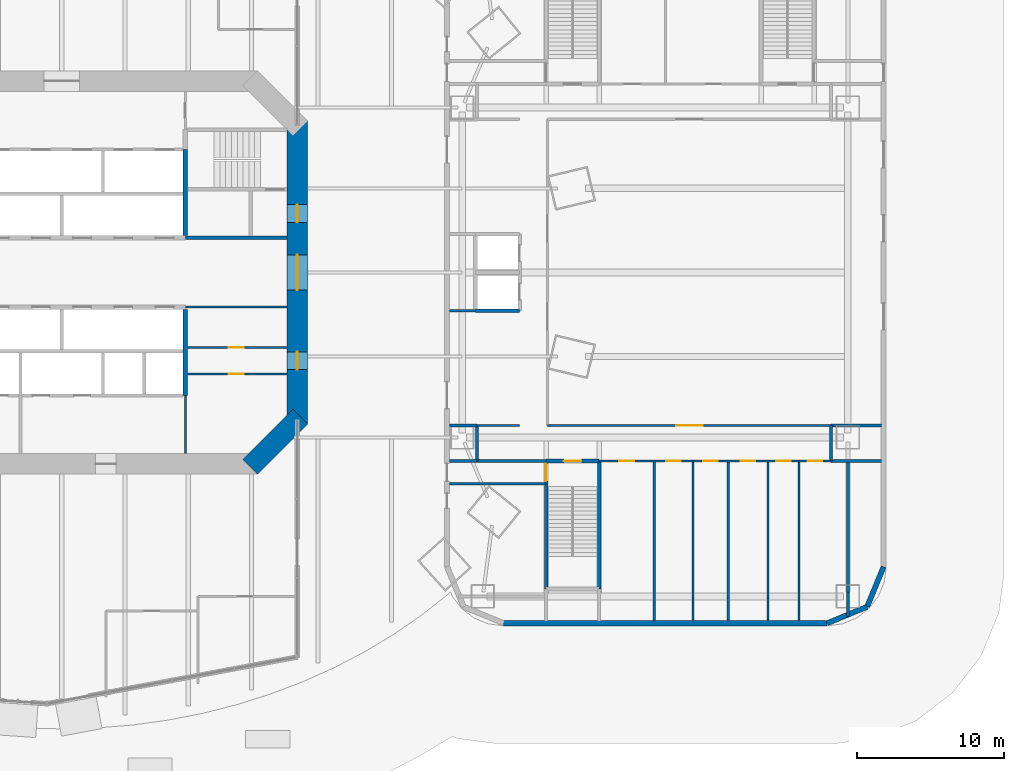
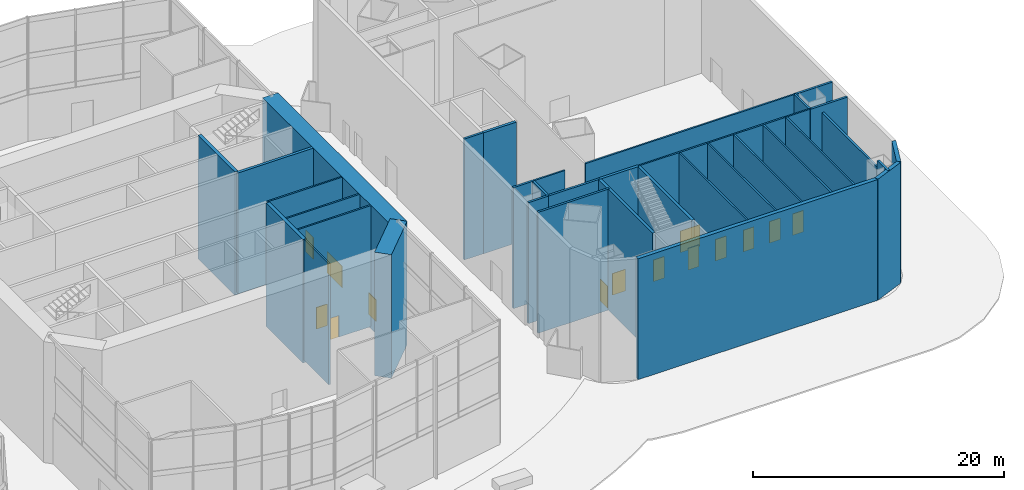
# One storey, part 15 of 23: 37 walls, 14 doors, 14 openings.
"""IFC4 building model written with IfcOpenShell, lengths in metres."""

from ifc_helpers import new_model, si_unit, direction, frame, frame_2d, origin, place, context, subcontext, project, spatial, rectangle, extrude, material, layer, layer_set, type_object, element, fill, save


model = new_model("IFC4")

# Units and contexts
model_context = context("Model", 3, precision=1e-05, world=origin(), true_north=direction((0.0, 1.0)))
body_context = subcontext(model_context, "Body", "Model", "MODEL_VIEW")
ifc_project = project(units=[si_unit("LENGTHUNIT", "METRE"), si_unit("AREAUNIT", "SQUARE_METRE"), si_unit("VOLUMEUNIT", "CUBIC_METRE"), si_unit("PLANEANGLEUNIT", "RADIAN"), si_unit("MASSUNIT", "GRAM", prefix="KILO")], contexts=[model_context])

# Site, building, storey
site_placement = place(None, origin())
site = spatial("IfcSite", under=ifc_project, at=site_placement, CompositionType="ELEMENT")
building_placement = place(site_placement, origin())
building = spatial("IfcBuilding", under=site, at=building_placement, Name="Marenthal Gate Tower", CompositionType="ELEMENT")
storey_placement = place(building_placement, origin())
storey = spatial("IfcBuildingStorey", under=building, at=storey_placement, Name="L00", CompositionType="ELEMENT", Elevation=0.0)

# Wall
ifc_material_1 = material(Name="Concrete 60 MPa", Category="concrete")
ifc_layer_1 = layer(ifc_material_1, 1.39990234375)
ifc_layer_set_1 = layer_set([ifc_layer_1], Name="Core shear wall 1400")
wall_type_1 = type_object("IfcWallType", Name="Core shear wall 1400", PredefinedType="SHEAR", material=ifc_layer_set_1)
wall_1_placement = place(storey_placement, frame((12.794921875, -13.205078125, -0.25), z_axis=(0.0, 0.0, 1.0), x_axis=(0.707106781187, 0.707106781187, 0.0)))
element("IfcWall", 1, at=wall_1_placement, inside=storey, type_object=wall_type_1, Name="Core wall 01", PredefinedType="SHEAR", context=body_context, shape_type="SweptSolid", body=[
    extrude(rectangle(XDim=4.82275390625, YDim=1.39990234375, at=frame_2d((2.411376953125, 0.0))), origin(), (0.0, 0.0, 1.0), 12.0),
])

# Wall, openings, doors
wall_2_placement = place(storey_placement, frame((16.0, -10.289794921875, -0.25), z_axis=(0.0, 0.0, 1.0), x_axis=(0.0, 1.0, 0.0)))
wall_2 = element("IfcWall", 2, at=wall_2_placement, inside=storey, type_object=wall_type_1, Name="Core wall 02", PredefinedType="SHEAR", context=body_context, shape_type="SweptSolid", body=[
    extrude(rectangle(XDim=20.57958984375, YDim=1.39990234375, at=frame_2d((10.289794921875, 0.0))), origin(), (0.0, 0.0, 1.0), 12.0),
])
opening_1_placement = place(wall_2_placement, frame((9.08984375, 0.0, 0.25)))
opening_1 = element("IfcOpeningElement", 3, at=opening_1_placement, cuts=wall_2, Name="Opening D003.02", PredefinedType="OPENING", context=body_context, shape_type="SweptSolid", body=[
    extrude(rectangle(XDim=2.39990234375, YDim=2.10009765625, at=frame_2d((1.199951171875, 1.050048828125))), frame((0.0, 0.7099609375, 0.0), z_axis=(0.0, -1.0, 0.0), x_axis=(1.0, 0.0, 0.0)), (0.0, 0.0, 1.0), 1.419921875),
])
opening_2_placement = place(wall_2_placement, frame((13.68994140625, 0.0, 0.25)))
opening_2 = element("IfcOpeningElement", 4, at=opening_2_placement, cuts=wall_2, Name="Opening D001.05", PredefinedType="OPENING", context=body_context, shape_type="SweptSolid", body=[
    extrude(rectangle(XDim=1.199951171875, YDim=2.10009765625, at=frame_2d((0.60009765625, 1.050048828125))), frame((0.0, 0.7099609375, 0.0), z_axis=(0.0, -1.0, 0.0), x_axis=(1.0, 0.0, 0.0)), (0.0, 0.0, 1.0), 1.419921875),
])
opening_3_placement = place(wall_2_placement, frame((3.68994140625, 0.0, 0.25)))
opening_3 = element("IfcOpeningElement", 5, at=opening_3_placement, cuts=wall_2, Name="Opening D006.01", PredefinedType="OPENING", context=body_context, shape_type="SweptSolid", body=[
    extrude(rectangle(XDim=1.199951171875, YDim=2.10009765625, at=frame_2d((0.60009765625, 1.050048828125))), frame((0.0, 0.7099609375, 0.0), z_axis=(0.0, -1.0, 0.0), x_axis=(1.0, 0.0, 0.0)), (0.0, 0.0, 1.0), 1.419921875),
])
ifc_material_2 = material(Name="Steel fire door", Category="steel")
door_type_1 = type_object("IfcDoorType", Name="Double fire door FD 45 2400 x 2100", OperationType="DOUBLE_DOOR_SINGLE_SWING", PredefinedType="DOOR", material=ifc_material_2)
door_1_placement = place(opening_1_placement, frame((2.39990234375, 0.0, 0.0), z_axis=(0.0, 0.0, 1.0), x_axis=(-1.0, 0.0, 0.0)))
door_1 = element("IfcDoor", 6, at=door_1_placement, inside=storey, type_object=door_type_1, Name="Door D003.02", OperationType="DOUBLE_DOOR_SINGLE_SWING", OverallHeight=2.10009765625, OverallWidth=2.39990234375, PredefinedType="DOOR", context=body_context, shape_type="SweptSolid", body=[
    extrude(rectangle(XDim=2.39990234375, YDim=2.10009765625, at=frame_2d((1.199951171875, 1.050048828125))), frame((0.0, 0.02490234375, 0.0), z_axis=(0.0, -1.0, 0.0), x_axis=(1.0, 0.0, 0.0)), (0.0, 0.0, 1.0), 0.050048828125),
])
fill(opening_1, door_1)
ifc_material_3 = material(Name="Steel fire door", Category="steel")
door_type_2 = type_object("IfcDoorType", Name="Fire door FD 45 1200 x 2100", OperationType="NOTDEFINED", PredefinedType="DOOR", material=ifc_material_3)
door_2_placement = place(opening_3_placement, frame((1.199951171875, 0.0, 0.0), z_axis=(0.0, 0.0, 1.0), x_axis=(-1.0, 0.0, 0.0)))
door_2 = element("IfcDoor", 7, at=door_2_placement, inside=storey, type_object=door_type_2, Name="Door D006.01", OperationType="SINGLE_SWING_LEFT", OverallHeight=2.10009765625, OverallWidth=1.199951171875, PredefinedType="DOOR", context=body_context, shape_type="SweptSolid", body=[
    extrude(rectangle(XDim=1.199951171875, YDim=2.10009765625, at=frame_2d((0.60009765625, 1.050048828125))), frame((0.0, 0.02490234375, 0.0), z_axis=(0.0, -1.0, 0.0), x_axis=(1.0, 0.0, 0.0)), (0.0, 0.0, 1.0), 0.050048828125),
])
fill(opening_3, door_2)
ifc_material_4 = material(Name="Steel fire door", Category="steel")
door_type_3 = type_object("IfcDoorType", Name="Fire door FD 90 1200 x 2100", OperationType="NOTDEFINED", PredefinedType="DOOR", material=ifc_material_4)
door_3_placement = place(opening_2_placement, frame((1.199951171875, 0.0, 0.0), z_axis=(0.0, 0.0, 1.0), x_axis=(-1.0, 0.0, 0.0)))
door_3 = element("IfcDoor", 8, at=door_3_placement, inside=storey, type_object=door_type_3, Name="Door D001.05", OperationType="SINGLE_SWING_LEFT", OverallHeight=2.10009765625, OverallWidth=1.199951171875, PredefinedType="DOOR", context=body_context, shape_type="SweptSolid", body=[
    extrude(rectangle(XDim=1.199951171875, YDim=2.10009765625, at=frame_2d((0.60009765625, 1.050048828125))), frame((0.0, 0.02490234375, 0.0), z_axis=(0.0, -1.0, 0.0), x_axis=(1.0, 0.0, 0.0)), (0.0, 0.0, 1.0), 0.050048828125),
])
fill(opening_2, door_3)

# Walls
ifc_material_5 = material(Name="Concrete 50 MPa", Category="concrete")
ifc_layer_2 = layer(ifc_material_5, 0.300048828125)
ifc_layer_set_2 = layer_set([ifc_layer_2], Name="Hoistway shear wall 300")
wall_type_2 = type_object("IfcWallType", Name="Hoistway shear wall 300", PredefinedType="SHEAR", material=ifc_layer_set_2)
for number, where, z_axis, x_axis, name in (
    (9, (8.39990234375, -8.35009765625, -0.25), (0.0, 0.0, 1.0), (0.0, 1.0, 0.0), "Hoistway wall 43"),
    (10, (8.39990234375, 2.5, -0.25), (0.0, 0.0, 1.0), (0.0, 1.0, 0.0), "Hoistway wall 44"),
):
    element("IfcWall", number, at=place(storey_placement, frame(where, z_axis=z_axis, x_axis=x_axis)), inside=storey, type_object=wall_type_2, Name=name, PredefinedType="SHEAR", context=body_context, shape_type="SweptSolid", body=[
        extrude(rectangle(XDim=5.85009765625, YDim=0.300048828125, at=frame_2d((2.925048828125, 0.0))), origin(), (0.0, 0.0, 1.0), 12.0),
    ])
ifc_material_6 = material(Name="Concrete 40 MPa", Category="concrete")
ifc_layer_3 = layer(ifc_material_6, 0.25)
ifc_layer_set_3 = layer_set([ifc_layer_3], Name="Hoistway wall 250")
wall_type_3 = type_object("IfcWallType", Name="Hoistway wall 250", PredefinedType="STANDARD", material=ifc_layer_set_3)
wall_3_placement = place(storey_placement, frame((28.10009765625, -2.60009765625, 0.0), z_axis=(0.0, 0.0, 1.0), x_axis=(1.0, 0.0, 0.0)))
element("IfcWall", 11, at=wall_3_placement, inside=storey, type_object=wall_type_3, Name="Hoistway wall 49", PredefinedType="STANDARD", context=body_context, shape_type="SweptSolid", body=[
    extrude(rectangle(XDim=3.0, YDim=0.25, at=frame_2d((1.5, 0.0))), origin(), (0.0, 0.0, 1.0), 11.75),
])

# Wall, opening, door
ifc_material_7 = material(Name="Gypsum board on steel studs", Category="steel")
ifc_layer_4 = layer(ifc_material_7, 0.14990234375)
ifc_layer_set_4 = layer_set([ifc_layer_4], Name="Partition 150")
wall_type_4 = type_object("IfcWallType", Name="Partition 150", PredefinedType="PARTITIONING", material=ifc_layer_set_4)
wall_4_placement = place(storey_placement, frame((8.550048828125, -6.89990234375, 0.0), z_axis=(0.0, 0.0, 1.0), x_axis=(1.0, 0.0, 0.0)))
wall_4 = element("IfcWall", 12, at=wall_4_placement, inside=storey, type_object=wall_type_4, Name="Partition wall 12", PredefinedType="PARTITIONING", context=body_context, shape_type="SweptSolid", body=[
    extrude(rectangle(XDim=6.75, YDim=0.14990234375, at=frame_2d((3.375, 0.0))), origin(), (0.0, 0.0, 1.0), 11.75),
])
opening_4_placement = place(wall_4_placement, frame((2.800048828125, 0.0, 0.0)))
opening_4 = element("IfcOpeningElement", 13, at=opening_4_placement, cuts=wall_4, Name="Opening D005.04", PredefinedType="OPENING", context=body_context, shape_type="SweptSolid", body=[
    extrude(rectangle(XDim=1.0, YDim=2.10009765625, at=frame_2d((0.5, 1.050048828125))), frame((0.0, 0.0849609375, 0.0), z_axis=(0.0, -1.0, 0.0), x_axis=(1.0, 0.0, 0.0)), (0.0, 0.0, 1.0), 0.169921875),
])
ifc_material_8 = material(Name="Steel fire door", Category="steel")
door_type_4 = type_object("IfcDoorType", Name="Fire door FD 45 1000 x 2100", OperationType="NOTDEFINED", PredefinedType="DOOR", material=ifc_material_8)
door_4_placement = place(opening_4_placement, frame((1.0, 0.0, 0.0), z_axis=(0.0, 0.0, 1.0), x_axis=(-1.0, 0.0, 0.0)))
door_4 = element("IfcDoor", 14, at=door_4_placement, inside=storey, type_object=door_type_4, Name="Door D005.04", OperationType="SINGLE_SWING_LEFT", OverallHeight=2.10009765625, OverallWidth=1.0, PredefinedType="DOOR", context=body_context, shape_type="SweptSolid", body=[
    extrude(rectangle(XDim=1.0, YDim=2.10009765625, at=frame_2d((0.5, 1.050048828125))), frame((0.0, 0.02490234375, 0.0), z_axis=(0.0, -1.0, 0.0), x_axis=(1.0, 0.0, 0.0)), (0.0, 0.0, 1.0), 0.050048828125),
])
fill(opening_4, door_4)

wall_5_placement = place(storey_placement, frame((8.550048828125, -5.10009765625, 0.0), z_axis=(0.0, 0.0, 1.0), x_axis=(1.0, 0.0, 0.0)))
wall_5 = element("IfcWall", 15, at=wall_5_placement, inside=storey, type_object=wall_type_4, Name="Partition wall 14", PredefinedType="PARTITIONING", context=body_context, shape_type="SweptSolid", body=[
    extrude(rectangle(XDim=6.75, YDim=0.14990234375, at=frame_2d((3.375, 0.0))), origin(), (0.0, 0.0, 1.0), 11.75),
])
opening_5_placement = place(wall_5_placement, frame((2.800048828125, 0.0, 0.0)))
opening_5 = element("IfcOpeningElement", 16, at=opening_5_placement, cuts=wall_5, Name="Opening D005.03", PredefinedType="OPENING", context=body_context, shape_type="SweptSolid", body=[
    extrude(rectangle(XDim=1.0, YDim=2.10009765625, at=frame_2d((0.5, 1.050048828125))), frame((0.0, 0.0849609375, 0.0), z_axis=(0.0, -1.0, 0.0), x_axis=(1.0, 0.0, 0.0)), (0.0, 0.0, 1.0), 0.169921875),
])
door_5_placement = place(opening_5_placement, origin())
door_5 = element("IfcDoor", 17, at=door_5_placement, inside=storey, type_object=door_type_4, Name="Door D005.03", OperationType="SINGLE_SWING_RIGHT", OverallHeight=2.10009765625, OverallWidth=1.0, PredefinedType="DOOR", context=body_context, shape_type="SweptSolid", body=[
    extrude(rectangle(XDim=1.0, YDim=2.10009765625, at=frame_2d((0.5, 1.050048828125))), frame((0.0, 0.02490234375, 0.0), z_axis=(0.0, -1.0, 0.0), x_axis=(1.0, 0.0, 0.0)), (0.0, 0.0, 1.0), 0.050048828125),
])
fill(opening_5, door_5)

# Walls
wall_6_placement = place(storey_placement, frame((8.39990234375, -2.35009765625, 0.0), z_axis=(0.0, 0.0, 1.0), x_axis=(1.0, 0.0, 0.0)))
element("IfcWall", 18, at=wall_6_placement, inside=storey, type_object=wall_type_4, Name="Partition wall 18", PredefinedType="PARTITIONING", context=body_context, shape_type="SweptSolid", body=[
    extrude(rectangle(XDim=6.900146484375, YDim=0.14990234375, at=frame_2d((3.4501953125, 0.0))), origin(), (0.0, 0.0, 1.0), 11.75),
])
wall_7_placement = place(storey_placement, frame((8.39990234375, -12.300048828125, 0.0), z_axis=(0.0, 0.0, 1.0), x_axis=(0.0, 1.0, 0.0)))
element("IfcWall", 19, at=wall_7_placement, inside=storey, type_object=wall_type_4, Name="Partition wall 42", PredefinedType="PARTITIONING", context=body_context, shape_type="SweptSolid", body=[
    extrude(rectangle(XDim=3.949951171875, YDim=0.14990234375, at=frame_2d((1.97509765625, 0.0))), origin(), (0.0, 0.0, 1.0), 11.75),
])

# Wall, openings, doors
wall_8_placement = place(storey_placement, frame((36.4951171875, -12.800048828125, 0.0), z_axis=(0.0, 0.0, 1.0), x_axis=(1.0, 0.0, 0.0)))
wall_8 = element("IfcWall", 20, at=wall_8_placement, inside=storey, type_object=wall_type_4, Name="Partition wall 74", PredefinedType="PARTITIONING", context=body_context, shape_type="SweptSolid", body=[
    extrude(rectangle(XDim=6.3798828125, YDim=0.14990234375, at=frame_2d((3.18994140625, 0.0))), origin(), (0.0, 0.0, 1.0), 11.75),
])
opening_6_placement = place(wall_8_placement, frame((1.3798828125, 0.0, 0.0)))
opening_6 = element("IfcOpeningElement", 21, at=opening_6_placement, cuts=wall_8, Name="Opening D012.07", PredefinedType="OPENING", context=body_context, shape_type="SweptSolid", body=[
    extrude(rectangle(XDim=1.0, YDim=2.10009765625, at=frame_2d((0.5, 1.050048828125))), frame((0.0, 0.0849609375, 0.0), z_axis=(0.0, -1.0, 0.0), x_axis=(1.0, 0.0, 0.0)), (0.0, 0.0, 1.0), 0.169921875),
])
opening_7_placement = place(wall_8_placement, frame((4.56494140625, 0.0, 0.0)))
opening_7 = element("IfcOpeningElement", 22, at=opening_7_placement, cuts=wall_8, Name="Opening D012.08", PredefinedType="OPENING", context=body_context, shape_type="SweptSolid", body=[
    extrude(rectangle(XDim=1.0, YDim=2.10009765625, at=frame_2d((0.5, 1.050048828125))), frame((0.0, 0.0849609375, 0.0), z_axis=(0.0, -1.0, 0.0), x_axis=(1.0, 0.0, 0.0)), (0.0, 0.0, 1.0), 0.169921875),
])
ifc_material_9 = material(Name="Timber door", Category="wood")
door_type_5 = type_object("IfcDoorType", Name="Door 1000 x 2100", OperationType="NOTDEFINED", PredefinedType="DOOR", material=ifc_material_9)
door_6_placement = place(opening_6_placement, frame((1.0, 0.0, 0.0), z_axis=(0.0, 0.0, 1.0), x_axis=(-1.0, 0.0, 0.0)))
door_6 = element("IfcDoor", 23, at=door_6_placement, inside=storey, type_object=door_type_5, Name="Door D012.07", OperationType="SINGLE_SWING_LEFT", OverallHeight=2.10009765625, OverallWidth=1.0, PredefinedType="DOOR", context=body_context, shape_type="SweptSolid", body=[
    extrude(rectangle(XDim=1.0, YDim=2.10009765625, at=frame_2d((0.5, 1.050048828125))), frame((0.0, 0.02490234375, 0.0), z_axis=(0.0, -1.0, 0.0), x_axis=(1.0, 0.0, 0.0)), (0.0, 0.0, 1.0), 0.050048828125),
])
fill(opening_6, door_6)
door_7_placement = place(opening_7_placement, frame((1.0, 0.0, 0.0), z_axis=(0.0, 0.0, 1.0), x_axis=(-1.0, 0.0, 0.0)))
door_7 = element("IfcDoor", 24, at=door_7_placement, inside=storey, type_object=door_type_5, Name="Door D012.08", OperationType="SINGLE_SWING_LEFT", OverallHeight=2.10009765625, OverallWidth=1.0, PredefinedType="DOOR", context=body_context, shape_type="SweptSolid", body=[
    extrude(rectangle(XDim=1.0, YDim=2.10009765625, at=frame_2d((0.5, 1.050048828125))), frame((0.0, 0.02490234375, 0.0), z_axis=(0.0, -1.0, 0.0), x_axis=(1.0, 0.0, 0.0)), (0.0, 0.0, 1.0), 0.050048828125),
])
fill(opening_7, door_7)

# Wall, opening, door
wall_9_placement = place(storey_placement, frame((50.06494140625, -12.800048828125, 0.0), z_axis=(0.0, 0.0, 1.0), x_axis=(1.0, 0.0, 0.0)))
wall_9 = element("IfcWall", 25, at=wall_9_placement, inside=storey, type_object=wall_type_4, Name="Partition wall 75", PredefinedType="PARTITIONING", context=body_context, shape_type="SweptSolid", body=[
    extrude(rectangle(XDim=2.18505859375, YDim=0.14990234375, at=frame_2d((1.092529296875, 0.0))), origin(), (0.0, 0.0, 1.0), 11.75),
])
opening_8_placement = place(wall_9_placement, frame((0.597412109375, 0.0, 0.0)))
opening_8 = element("IfcOpeningElement", 26, at=opening_8_placement, cuts=wall_9, Name="Opening D012.12", PredefinedType="OPENING", context=body_context, shape_type="SweptSolid", body=[
    extrude(rectangle(XDim=1.0, YDim=2.10009765625, at=frame_2d((0.5, 1.050048828125))), frame((0.0, 0.0849609375, 0.0), z_axis=(0.0, -1.0, 0.0), x_axis=(1.0, 0.0, 0.0)), (0.0, 0.0, 1.0), 0.169921875),
])
door_8_placement = place(opening_8_placement, frame((1.0, 0.0, 0.0), z_axis=(0.0, 0.0, 1.0), x_axis=(-1.0, 0.0, 0.0)))
door_8 = element("IfcDoor", 27, at=door_8_placement, inside=storey, type_object=door_type_5, Name="Door D012.12", OperationType="SINGLE_SWING_LEFT", OverallHeight=2.10009765625, OverallWidth=1.0, PredefinedType="DOOR", context=body_context, shape_type="SweptSolid", body=[
    extrude(rectangle(XDim=1.0, YDim=2.10009765625, at=frame_2d((0.5, 1.050048828125))), frame((0.0, 0.02490234375, 0.0), z_axis=(0.0, -1.0, 0.0), x_axis=(1.0, 0.0, 0.0)), (0.0, 0.0, 1.0), 0.050048828125),
])
fill(opening_8, door_8)

# Wall
wall_10_placement = place(storey_placement, frame((28.199951171875, -10.39990234375, 0.0), z_axis=(0.0, 0.0, 1.0), x_axis=(1.0, 0.0, 0.0)))
element("IfcWall", 28, at=wall_10_placement, inside=storey, type_object=wall_type_4, Name="Partition wall 78", PredefinedType="PARTITIONING", context=body_context, shape_type="SweptSolid", body=[
    extrude(rectangle(XDim=2.905029296875, YDim=0.14990234375, at=frame_2d((1.45263671875, 0.0))), origin(), (0.0, 0.0, 1.0), 11.75),
])

# Wall, opening, door
wall_11_placement = place(storey_placement, frame((32.9951171875, -10.39990234375, 0.0), z_axis=(0.0, 0.0, 1.0), x_axis=(1.0, 0.0, 0.0)))
wall_11 = element("IfcWall", 29, at=wall_11_placement, inside=storey, type_object=wall_type_4, Name="Partition wall 79", PredefinedType="PARTITIONING", context=body_context, shape_type="SweptSolid", body=[
    extrude(rectangle(XDim=19.2548828125, YDim=0.14990234375, at=frame_2d((9.62744140625, 0.0))), origin(), (0.0, 0.0, 1.0), 11.75),
])
opening_9_placement = place(wall_11_placement, frame((8.732421875, 0.0, 0.0)))
opening_9 = element("IfcOpeningElement", 30, at=opening_9_placement, cuts=wall_11, Name="Opening D014.02", PredefinedType="OPENING", context=body_context, shape_type="SweptSolid", body=[
    extrude(rectangle(XDim=1.800048828125, YDim=2.10009765625, at=frame_2d((0.89990234375, 1.050048828125))), frame((0.0, 0.0849609375, 0.0), z_axis=(0.0, -1.0, 0.0), x_axis=(1.0, 0.0, 0.0)), (0.0, 0.0, 1.0), 0.169921875),
])
ifc_material_10 = material(Name="Timber door", Category="wood")
door_type_6 = type_object("IfcDoorType", Name="Double door 1800 x 2100", OperationType="DOUBLE_DOOR_SINGLE_SWING", PredefinedType="DOOR", material=ifc_material_10)
door_9_placement = place(opening_9_placement, origin())
door_9 = element("IfcDoor", 31, at=door_9_placement, inside=storey, type_object=door_type_6, Name="Door D014.02", OperationType="DOUBLE_DOOR_SINGLE_SWING", OverallHeight=2.10009765625, OverallWidth=1.800048828125, PredefinedType="DOOR", context=body_context, shape_type="SweptSolid", body=[
    extrude(rectangle(XDim=1.800048828125, YDim=2.10009765625, at=frame_2d((0.89990234375, 1.050048828125))), frame((0.0, 0.02490234375, 0.0), z_axis=(0.0, -1.0, 0.0), x_axis=(1.0, 0.0, 0.0)), (0.0, 0.0, 1.0), 0.050048828125),
])
fill(opening_9, door_9)

# Walls
wall_12_placement = place(storey_placement, frame((40.25, -23.669921875, 0.0), z_axis=(0.0, 0.0, 1.0), x_axis=(0.0, 1.0, 0.0)))
element("IfcWall", 32, at=wall_12_placement, inside=storey, type_object=wall_type_4, Name="Partition wall 91", PredefinedType="PARTITIONING", context=body_context, shape_type="SweptSolid", body=[
    extrude(rectangle(XDim=10.869873046875, YDim=0.14990234375, at=frame_2d((5.43505859375, 0.0))), origin(), (0.0, 0.0, 1.0), 11.75),
])
ifc_material_11 = material(Name="Gypsum board on steel studs", Category="steel")
ifc_layer_5 = layer(ifc_material_11, 0.199951171875)
ifc_layer_set_5 = layer_set([ifc_layer_5], Name="Partition 200")
wall_type_5 = type_object("IfcWallType", Name="Partition 200", PredefinedType="PARTITIONING", material=ifc_layer_set_5)
wall_13_placement = place(storey_placement, frame((26.330078125, -14.35009765625, 0.0), z_axis=(0.0, 0.0, 1.0), x_axis=(1.0, 0.0, 0.0)))
element("IfcWall", 33, at=wall_13_placement, inside=storey, type_object=wall_type_5, Name="Partition wall 59", PredefinedType="PARTITIONING", context=body_context, shape_type="SweptSolid", body=[
    extrude(rectangle(XDim=6.56982421875, YDim=0.199951171875, at=frame_2d((3.284912109375, 0.0))), origin(), (0.0, 0.0, 1.0), 11.75),
])
wall_14_placement = place(storey_placement, frame((28.199951171875, -12.800048828125, 0.0), z_axis=(0.0, 0.0, 1.0), x_axis=(1.0, 0.0, 0.0)))
element("IfcWall", 34, at=wall_14_placement, inside=storey, type_object=wall_type_5, Name="Partition wall 61", PredefinedType="PARTITIONING", context=body_context, shape_type="SweptSolid", body=[
    extrude(rectangle(XDim=4.705078125, YDim=0.199951171875, at=frame_2d((2.3525390625, 0.0))), origin(), (0.0, 0.0, 1.0), 11.75),
])
wall_15_placement = place(storey_placement, frame((26.330078125, -12.800048828125, 0.0), z_axis=(0.0, 0.0, 1.0), x_axis=(1.0, 0.0, 0.0)))
element("IfcWall", 35, at=wall_15_placement, inside=storey, type_object=wall_type_5, Name="Partition wall 03", PredefinedType="PARTITIONING", context=body_context, shape_type="SweptSolid", body=[
    extrude(rectangle(XDim=1.873779296875, YDim=0.199951171875, at=frame_2d((0.93701171875, 0.0))), origin(), (0.0, 0.0, 1.0), 11.75),
])
wall_16_placement = place(storey_placement, frame((52.2451171875, -12.800048828125, 0.0), z_axis=(0.0, 0.0, 1.0), x_axis=(1.0, 0.0, 0.0)))
element("IfcWall", 36, at=wall_16_placement, inside=storey, type_object=wall_type_5, Name="Partition wall 04", PredefinedType="PARTITIONING", context=body_context, shape_type="SweptSolid", body=[
    extrude(rectangle(XDim=3.4248046875, YDim=0.199951171875, at=frame_2d((1.71240234375, 0.0))), origin(), (0.0, 0.0, 1.0), 11.75),
])
wall_17_placement = place(storey_placement, frame((26.330078125, -10.39990234375, 0.0), z_axis=(0.0, 0.0, 1.0), x_axis=(1.0, 0.0, 0.0)))
element("IfcWall", 37, at=wall_17_placement, inside=storey, type_object=wall_type_5, Name="Partition wall 06", PredefinedType="PARTITIONING", context=body_context, shape_type="SweptSolid", body=[
    extrude(rectangle(XDim=1.873779296875, YDim=0.199951171875, at=frame_2d((0.93701171875, 0.0))), origin(), (0.0, 0.0, 1.0), 11.75),
])
wall_18_placement = place(storey_placement, frame((52.2451171875, -10.39990234375, 0.0), z_axis=(0.0, 0.0, 1.0), x_axis=(1.0, 0.0, 0.0)))
element("IfcWall", 38, at=wall_18_placement, inside=storey, type_object=wall_type_5, Name="Partition wall 07", PredefinedType="PARTITIONING", context=body_context, shape_type="SweptSolid", body=[
    extrude(rectangle(XDim=3.4248046875, YDim=0.199951171875, at=frame_2d((1.71240234375, 0.0))), origin(), (0.0, 0.0, 1.0), 11.75),
])
wall_19_placement = place(storey_placement, frame((26.330078125, -2.60009765625, 0.0), z_axis=(0.0, 0.0, 1.0), x_axis=(1.0, 0.0, 0.0)))
element("IfcWall", 39, at=wall_19_placement, inside=storey, type_object=wall_type_5, Name="Partition wall 09", PredefinedType="PARTITIONING", context=body_context, shape_type="SweptSolid", body=[
    extrude(rectangle(XDim=1.77001953125, YDim=0.199951171875, at=frame_2d((0.885009765625, 0.0))), origin(), (0.0, 0.0, 1.0), 11.75),
])
wall_20_placement = place(storey_placement, frame((53.39990234375, -23.35546875, 0.0), z_axis=(0.0, 0.0, 1.0), x_axis=(0.0, 1.0, 0.0)))
element("IfcWall", 40, at=wall_20_placement, inside=storey, type_object=wall_type_5, Name="Partition wall 24", PredefinedType="PARTITIONING", context=body_context, shape_type="SweptSolid", body=[
    extrude(rectangle(XDim=1.655517578125, YDim=0.199951171875, at=frame_2d((0.82763671875, 0.0))), origin(), (0.0, 0.0, 1.0), 11.75),
])
wall_21_placement = place(storey_placement, frame((53.39990234375, -21.699951171875, 0.0), z_axis=(0.0, 0.0, 1.0), x_axis=(0.0, 1.0, 0.0)))
element("IfcWall", 41, at=wall_21_placement, inside=storey, type_object=wall_type_5, Name="Partition wall 178", PredefinedType="PARTITIONING", context=body_context, shape_type="SweptSolid", body=[
    extrude(rectangle(XDim=8.89990234375, YDim=0.199951171875, at=frame_2d((4.449951171875, 0.0))), origin(), (0.0, 0.0, 1.0), 11.06689453125),
])
for number, where, z_axis, x_axis, name in (
    (42, (52.25, -12.800048828125, 0.0), (0.0, 0.0, 1.0), (0.0, 1.0, 0.0), "Partition wall 25"),
    (43, (28.199951171875, -12.800048828125, 0.0), (0.0, 0.0, 1.0), (0.0, 1.0, 0.0), "Partition wall 33"),
):
    element("IfcWall", number, at=place(storey_placement, frame(where, z_axis=z_axis, x_axis=x_axis)), inside=storey, type_object=wall_type_5, Name=name, PredefinedType="PARTITIONING", context=body_context, shape_type="SweptSolid", body=[
        extrude(rectangle(XDim=2.400146484375, YDim=0.199951171875, at=frame_2d((1.2001953125, 0.0))), origin(), (0.0, 0.0, 1.0), 11.75),
    ])
ifc_material_12 = material(Name="Concrete 40 MPa", Category="concrete")
ifc_layer_6 = layer(ifc_material_12, 0.25)
ifc_layer_set_6 = layer_set([ifc_layer_6], Name="Stair enclosure wall 250")
wall_type_6 = type_object("IfcWallType", Name="Stair enclosure wall 250", PredefinedType="STANDARD", material=ifc_layer_set_6)
wall_22_placement = place(storey_placement, frame((8.39990234375, 2.35009765625, 0.0), z_axis=(0.0, 0.0, 1.0), x_axis=(1.0, 0.0, 0.0)))
element("IfcWall", 44, at=wall_22_placement, inside=storey, type_object=wall_type_6, Name="Stair wall 21", PredefinedType="STANDARD", context=body_context, shape_type="SweptSolid", body=[
    extrude(rectangle(XDim=6.900146484375, YDim=0.25, at=frame_2d((3.4501953125, 0.0))), origin(), (0.0, 0.0, 1.0), 11.75),
])

# Wall, opening, door
ifc_material_13 = material(Name="Concrete 50 MPa", Category="concrete")
ifc_layer_7 = layer(ifc_material_13, 0.25)
ifc_layer_set_7 = layer_set([ifc_layer_7], Name="Stair shear wall 250")
wall_type_7 = type_object("IfcWallType", Name="Stair shear wall 250", PredefinedType="SHEAR", material=ifc_layer_set_7)
wall_23_placement = place(storey_placement, frame((32.89501953125, -12.800048828125, 0.0), z_axis=(0.0, 0.0, 1.0), x_axis=(1.0, 0.0, 0.0)))
wall_23 = element("IfcWall", 45, at=wall_23_placement, inside=storey, type_object=wall_type_7, Name="Stair wall 48", PredefinedType="SHEAR", context=body_context, shape_type="SweptSolid", body=[
    extrude(rectangle(XDim=3.60986328125, YDim=0.25, at=frame_2d((1.804931640625, 0.0))), origin(), (0.0, 0.0, 1.0), 11.75),
])
opening_10_placement = place(wall_23_placement, frame((1.205078125, 0.0, 0.0)))
opening_10 = element("IfcOpeningElement", 46, at=opening_10_placement, cuts=wall_23, Name="Opening D001.08", PredefinedType="OPENING", context=body_context, shape_type="SweptSolid", body=[
    extrude(rectangle(XDim=1.199951171875, YDim=2.10009765625, at=frame_2d((0.60009765625, 1.050048828125))), frame((0.0, 0.135009765625, 0.0), z_axis=(0.0, -1.0, 0.0), x_axis=(1.0, 0.0, 0.0)), (0.0, 0.0, 1.0), 0.27001953125),
])
door_10_placement = place(opening_10_placement, frame((1.199951171875, 0.0, 0.0), z_axis=(0.0, 0.0, 1.0), x_axis=(-1.0, 0.0, 0.0)))
door_10 = element("IfcDoor", 47, at=door_10_placement, inside=storey, type_object=door_type_3, Name="Door D001.08", OperationType="SINGLE_SWING_LEFT", OverallHeight=2.10009765625, OverallWidth=1.199951171875, PredefinedType="DOOR", context=body_context, shape_type="SweptSolid", body=[
    extrude(rectangle(XDim=1.199951171875, YDim=2.10009765625, at=frame_2d((0.60009765625, 1.050048828125))), frame((0.0, 0.02490234375, 0.0), z_axis=(0.0, -1.0, 0.0), x_axis=(1.0, 0.0, 0.0)), (0.0, 0.0, 1.0), 0.050048828125),
])
fill(opening_10, door_10)

# Wall
wall_24_placement = place(storey_placement, frame((36.5, -21.5, 0.0), z_axis=(0.0, 0.0, 1.0), x_axis=(0.0, 1.0, 0.0)))
element("IfcWall", 48, at=wall_24_placement, inside=storey, type_object=wall_type_7, Name="Stair wall 59", PredefinedType="SHEAR", context=body_context, shape_type="SweptSolid", body=[
    extrude(rectangle(XDim=8.699951171875, YDim=0.25, at=frame_2d((4.35009765625, 0.0))), origin(), (0.0, 0.0, 1.0), 11.75),
])

# Wall, opening, door
wall_25_placement = place(storey_placement, frame((32.89990234375, -21.5, 0.0), z_axis=(0.0, 0.0, 1.0), x_axis=(0.0, 1.0, 0.0)))
wall_25 = element("IfcWall", 49, at=wall_25_placement, inside=storey, type_object=wall_type_7, Name="Stair wall 61", PredefinedType="SHEAR", context=body_context, shape_type="SweptSolid", body=[
    extrude(rectangle(XDim=8.699951171875, YDim=0.25, at=frame_2d((4.35009765625, 0.0))), origin(), (0.0, 0.0, 1.0), 11.75),
])
opening_11_placement = place(wall_25_placement, frame((7.322509765625, 0.0, 0.0)))
opening_11 = element("IfcOpeningElement", 50, at=opening_11_placement, cuts=wall_25, Name="Opening D001.11", PredefinedType="OPENING", context=body_context, shape_type="SweptSolid", body=[
    extrude(rectangle(XDim=1.199951171875, YDim=2.10009765625, at=frame_2d((0.60009765625, 1.050048828125))), frame((0.0, 0.135009765625, 0.0), z_axis=(0.0, -1.0, 0.0), x_axis=(1.0, 0.0, 0.0)), (0.0, 0.0, 1.0), 0.27001953125),
])
door_11_placement = place(opening_11_placement, frame((1.199951171875, 0.0, 0.0), z_axis=(0.0, 0.0, 1.0), x_axis=(-1.0, 0.0, 0.0)))
door_11 = element("IfcDoor", 51, at=door_11_placement, inside=storey, type_object=door_type_3, Name="Door D001.11", OperationType="SINGLE_SWING_LEFT", OverallHeight=2.10009765625, OverallWidth=1.199951171875, PredefinedType="DOOR", context=body_context, shape_type="SweptSolid", body=[
    extrude(rectangle(XDim=1.199951171875, YDim=2.10009765625, at=frame_2d((0.60009765625, 1.050048828125))), frame((0.0, 0.02490234375, 0.0), z_axis=(0.0, -1.0, 0.0), x_axis=(1.0, 0.0, 0.0)), (0.0, 0.0, 1.0), 0.050048828125),
])
fill(opening_11, door_11)

# Walls
ifc_material_14 = material(Name="Terracotta cladding on insulated concrete-block backing", Category="masonry")
ifc_layer_8 = layer(ifc_material_14, 0.35009765625)
ifc_layer_set_8 = layer_set([ifc_layer_8], Name="Terracotta cladding wall 350")
wall_type_8 = type_object("IfcWallType", Name="Terracotta cladding wall 350", PredefinedType="SOLIDWALL", material=ifc_layer_set_8)
for number, where, z_axis, x_axis, name in (
    (52, (51.988525390625, -23.824951171875, 0.0), (0.0, 0.0, 1.0), (0.924274813566, 0.381727741993, 0.0), "Terracotta cladding wall L00 E1"),
    (53, (54.70361328125, -22.70361328125, 0.0), (0.0, 0.0, 1.0), (0.381727741993, 0.924274813566, 0.0), "Terracotta cladding wall L00 E2"),
):
    element("IfcWall", number, at=place(storey_placement, frame(where, z_axis=z_axis, x_axis=x_axis)), inside=storey, type_object=wall_type_8, Name=name, PredefinedType="SOLIDWALL", context=body_context, shape_type="SweptSolid", body=[
        extrude(rectangle(XDim=2.9375, YDim=0.35009765625, at=frame_2d((1.46875, 0.0))), origin(), (0.0, 0.0, 1.0), 11.75),
    ])
wall_26_placement = place(storey_placement, frame((30.011474609375, -23.824951171875, 0.0), z_axis=(0.0, 0.0, 1.0), x_axis=(1.0, 0.0, 0.0)))
element("IfcWall", 54, at=wall_26_placement, inside=storey, type_object=wall_type_8, Name="Terracotta cladding wall L00 E12", PredefinedType="SOLIDWALL", context=body_context, shape_type="SweptSolid", body=[
    extrude(rectangle(XDim=21.97705078125, YDim=0.35009765625, at=frame_2d((10.988525390625, 0.0))), origin(), (0.0, 0.0, 1.0), 11.75),
])

# Wall, openings, doors
ifc_material_15 = material(Name="Gypsum board on steel studs", Category="steel")
ifc_layer_9 = layer(ifc_material_15, 0.14990234375)
ifc_layer_set_9 = layer_set([ifc_layer_9], Name="Wet room partition 150")
wall_type_9 = type_object("IfcWallType", Name="Wet room partition 150", PredefinedType="PARTITIONING", material=ifc_layer_set_9)
wall_27_placement = place(storey_placement, frame((42.864990234375, -12.800048828125, 0.0), z_axis=(0.0, 0.0, 1.0), x_axis=(1.0, 0.0, 0.0)))
wall_27 = element("IfcWall", 55, at=wall_27_placement, inside=storey, type_object=wall_type_9, Name="Wet wall 69", PredefinedType="PARTITIONING", context=body_context, shape_type="SweptSolid", body=[
    extrude(rectangle(XDim=7.2099609375, YDim=0.14990234375, at=frame_2d((3.60498046875, 0.0))), origin(), (0.0, 0.0, 1.0), 11.75),
])
opening_12_placement = place(wall_27_placement, frame((0.705078125, 0.0, 0.0)))
opening_12 = element("IfcOpeningElement", 56, at=opening_12_placement, cuts=wall_27, Name="Opening D012.09", PredefinedType="OPENING", context=body_context, shape_type="SweptSolid", body=[
    extrude(rectangle(XDim=1.0, YDim=2.10009765625, at=frame_2d((0.5, 1.050048828125))), frame((0.0, 0.0849609375, 0.0), z_axis=(0.0, -1.0, 0.0), x_axis=(1.0, 0.0, 0.0)), (0.0, 0.0, 1.0), 0.169921875),
])
opening_13_placement = place(wall_27_placement, frame((3.2548828125, 0.0, 0.0)))
opening_13 = element("IfcOpeningElement", 57, at=opening_13_placement, cuts=wall_27, Name="Opening D012.10", PredefinedType="OPENING", context=body_context, shape_type="SweptSolid", body=[
    extrude(rectangle(XDim=1.0, YDim=2.10009765625, at=frame_2d((0.5, 1.050048828125))), frame((0.0, 0.0849609375, 0.0), z_axis=(0.0, -1.0, 0.0), x_axis=(1.0, 0.0, 0.0)), (0.0, 0.0, 1.0), 0.169921875),
])
opening_14_placement = place(wall_27_placement, frame((5.655029296875, 0.0, 0.0)))
opening_14 = element("IfcOpeningElement", 58, at=opening_14_placement, cuts=wall_27, Name="Opening D012.11", PredefinedType="OPENING", context=body_context, shape_type="SweptSolid", body=[
    extrude(rectangle(XDim=1.0, YDim=2.10009765625, at=frame_2d((0.5, 1.050048828125))), frame((0.0, 0.0849609375, 0.0), z_axis=(0.0, -1.0, 0.0), x_axis=(1.0, 0.0, 0.0)), (0.0, 0.0, 1.0), 0.169921875),
])
door_12_placement = place(opening_12_placement, frame((1.0, 0.0, 0.0), z_axis=(0.0, 0.0, 1.0), x_axis=(-1.0, 0.0, 0.0)))
door_12 = element("IfcDoor", 59, at=door_12_placement, inside=storey, type_object=door_type_5, Name="Door D012.09", OperationType="SINGLE_SWING_LEFT", OverallHeight=2.10009765625, OverallWidth=1.0, PredefinedType="DOOR", context=body_context, shape_type="SweptSolid", body=[
    extrude(rectangle(XDim=1.0, YDim=2.10009765625, at=frame_2d((0.5, 1.050048828125))), frame((0.0, 0.02490234375, 0.0), z_axis=(0.0, -1.0, 0.0), x_axis=(1.0, 0.0, 0.0)), (0.0, 0.0, 1.0), 0.050048828125),
])
fill(opening_12, door_12)
door_13_placement = place(opening_13_placement, frame((1.0, 0.0, 0.0), z_axis=(0.0, 0.0, 1.0), x_axis=(-1.0, 0.0, 0.0)))
door_13 = element("IfcDoor", 60, at=door_13_placement, inside=storey, type_object=door_type_5, Name="Door D012.10", OperationType="SINGLE_SWING_LEFT", OverallHeight=2.10009765625, OverallWidth=1.0, PredefinedType="DOOR", context=body_context, shape_type="SweptSolid", body=[
    extrude(rectangle(XDim=1.0, YDim=2.10009765625, at=frame_2d((0.5, 1.050048828125))), frame((0.0, 0.02490234375, 0.0), z_axis=(0.0, -1.0, 0.0), x_axis=(1.0, 0.0, 0.0)), (0.0, 0.0, 1.0), 0.050048828125),
])
fill(opening_13, door_13)
door_14_placement = place(opening_14_placement, frame((1.0, 0.0, 0.0), z_axis=(0.0, 0.0, 1.0), x_axis=(-1.0, 0.0, 0.0)))
door_14 = element("IfcDoor", 61, at=door_14_placement, inside=storey, type_object=door_type_5, Name="Door D012.11", OperationType="SINGLE_SWING_LEFT", OverallHeight=2.10009765625, OverallWidth=1.0, PredefinedType="DOOR", context=body_context, shape_type="SweptSolid", body=[
    extrude(rectangle(XDim=1.0, YDim=2.10009765625, at=frame_2d((0.5, 1.050048828125))), frame((0.0, 0.02490234375, 0.0), z_axis=(0.0, -1.0, 0.0), x_axis=(1.0, 0.0, 0.0)), (0.0, 0.0, 1.0), 0.050048828125),
])
fill(opening_14, door_14)

# Walls
for number, where, z_axis, x_axis, name in (
    (62, (50.070068359375, -23.669921875, 0.0), (0.0, 0.0, 1.0), (0.0, 1.0, 0.0), "Wet wall 70"),
    (63, (47.969970703125, -23.669921875, 0.0), (0.0, 0.0, 1.0), (0.0, 1.0, 0.0), "Wet wall 71"),
    (64, (45.27001953125, -23.669921875, 0.0), (0.0, 0.0, 1.0), (0.0, 1.0, 0.0), "Wet wall 72"),
    (65, (42.8701171875, -23.669921875, 0.0), (0.0, 0.0, 1.0), (0.0, 1.0, 0.0), "Wet wall 73"),
):
    element("IfcWall", number, at=place(storey_placement, frame(where, z_axis=z_axis, x_axis=x_axis)), inside=storey, type_object=wall_type_9, Name=name, PredefinedType="PARTITIONING", context=body_context, shape_type="SweptSolid", body=[
        extrude(rectangle(XDim=10.869873046875, YDim=0.14990234375, at=frame_2d((5.43505859375, 0.0))), origin(), (0.0, 0.0, 1.0), 11.75),
    ])

save(model, "model.ifc")
